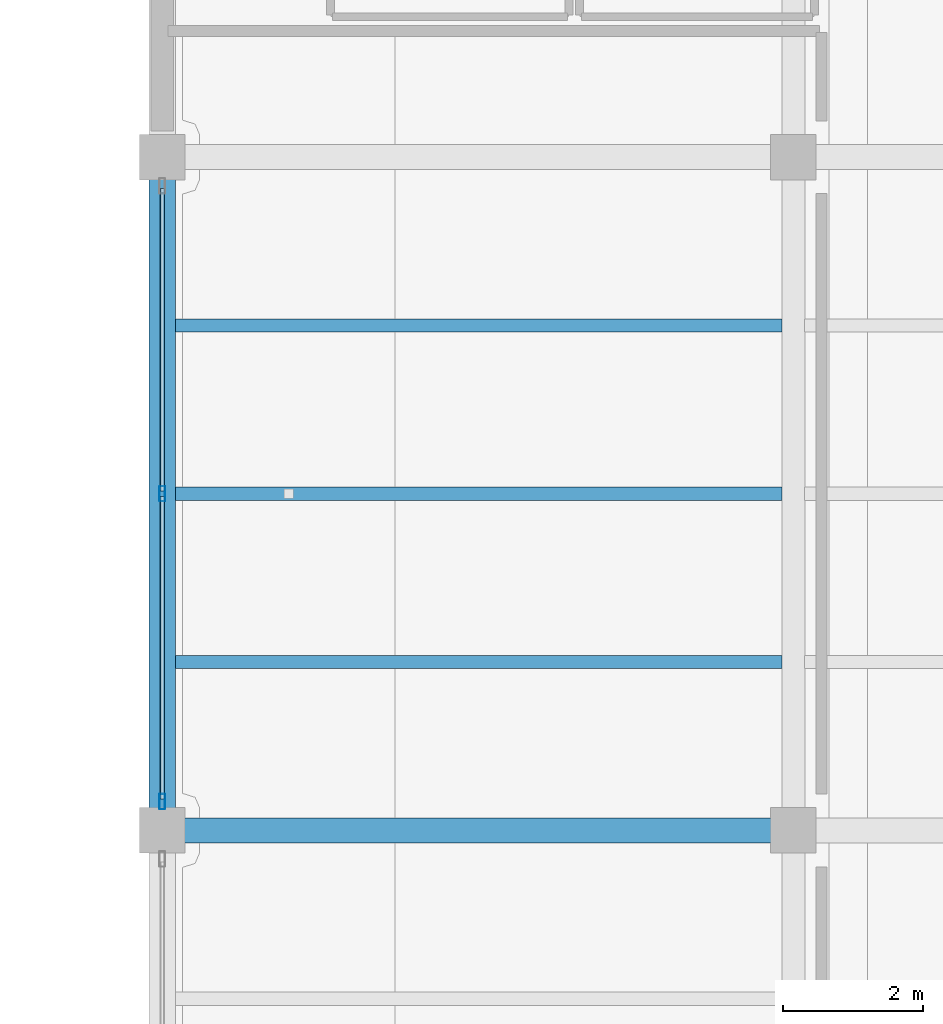
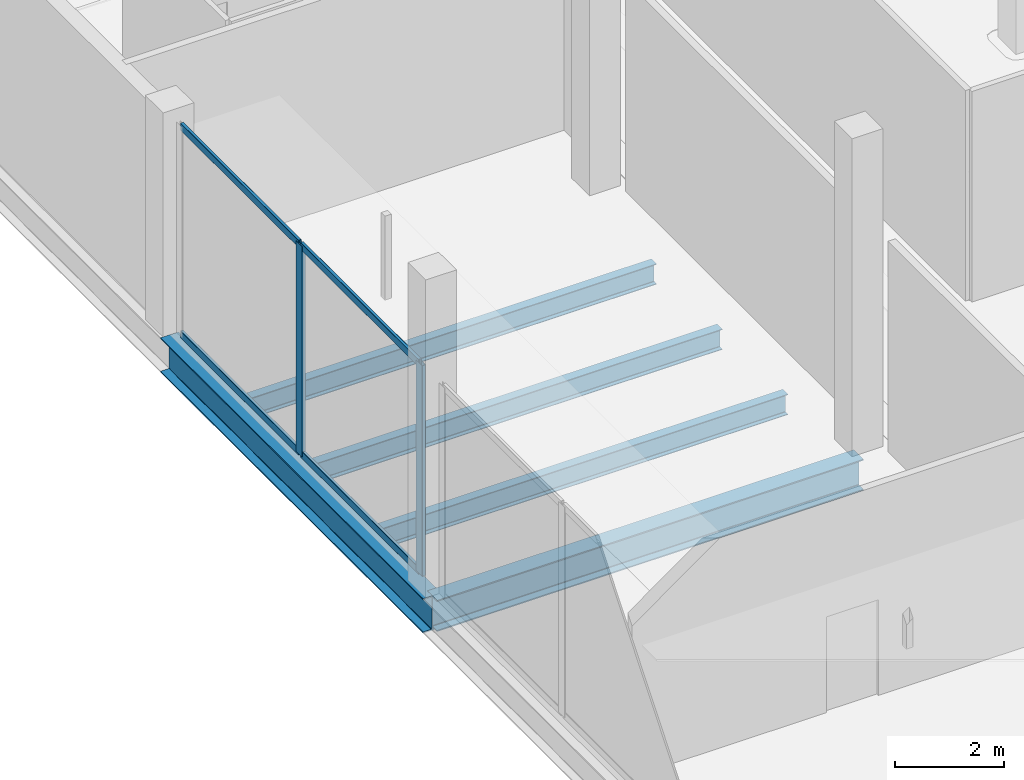
# One storey, part 11 of 43: 6 members, 5 beams, 1 element without a shape of its own.
"""IFC4 building model written with IfcOpenShell, lengths in metres."""

from ifc_helpers import new_model, si_unit, direction, frame, origin, origin_2d, place, context, subcontext, project, spatial, hollow_rectangle, i_section, extrude, material, layer, layer_set, material_profile, profile_set, type_object, element, aggregate, save


model = new_model("IFC4")

# Units and contexts
model_context = context("Model", 3, precision=1e-05, world=origin(), true_north=direction((0.0, 1.0)))
body_context = subcontext(model_context, "Body", "Model", "MODEL_VIEW")
ifc_project = project(units=[si_unit("LENGTHUNIT", "METRE"), si_unit("AREAUNIT", "SQUARE_METRE"), si_unit("VOLUMEUNIT", "CUBIC_METRE"), si_unit("PLANEANGLEUNIT", "RADIAN"), si_unit("MASSUNIT", "GRAM", prefix="KILO")], contexts=[model_context])

# Site, building, storey
site_placement = place(None, origin())
site = spatial("IfcSite", under=ifc_project, at=site_placement, CompositionType="ELEMENT")
building_placement = place(site_placement, origin())
building = spatial("IfcBuilding", under=site, at=building_placement, Name="Qorvath Tower", CompositionType="ELEMENT")
storey_placement = place(building_placement, frame((0.0, 0.0, 22.0)))
storey = spatial("IfcBuildingStorey", under=building, at=storey_placement, Name="L04", CompositionType="ELEMENT", Elevation=22.0)

# Beams
ifc_material_1 = material(Name="Steel ASTM A992 Grade 50", Category="steel")
ifc_material_profile_1 = material_profile(ifc_material_1, i_section(OverallWidth=0.381103515625, OverallDepth=0.77294921875, WebThickness=0.0166015625, FlangeThickness=0.027099609375, FilletRadius=0.01904296875, at=origin_2d()), Name="W30x173")
ifc_profile_set_1 = profile_set([ifc_material_profile_1], Name="Steel ASTM A992 Grade 50")
beam_type_1 = type_object("IfcBeamType", Name="BM-FG3", PredefinedType="BEAM", material=ifc_profile_set_1)
beam_1_placement = place(storey_placement, frame((32.39990234375, 9.60009765625, -0.646484375), z_axis=(0.0, 1.0, 0.0), x_axis=(-1.0, 0.0, 0.0)))
element("IfcBeam", 1, at=beam_1_placement, inside=storey, type_object=beam_type_1, Name="Library N-S Girder L04-1-6", PredefinedType="BEAM", context=body_context, shape_type="SweptSolid", body=[
    extrude(i_section(OverallWidth=0.381103515625, OverallDepth=0.77294921875, WebThickness=0.0166015625, FlangeThickness=0.027099609375, FilletRadius=0.01904296875, at=origin_2d()), origin(), (0.0, 0.0, 1.0), 9.599853515625),
])
ifc_material_2 = material(Name="Steel ASTM A992 Grade 50", Category="steel")
ifc_material_profile_2 = material_profile(ifc_material_2, i_section(OverallWidth=0.35595703125, OverallDepth=0.696044921875, WebThickness=0.015380859375, FlangeThickness=0.02490234375, FilletRadius=0.01806640625, at=origin_2d()), Name="W27x146")
ifc_profile_set_2 = profile_set([ifc_material_profile_2], Name="Steel ASTM A992 Grade 50")
beam_type_2 = type_object("IfcBeamType", Name="BM-FG4", PredefinedType="BEAM", material=ifc_profile_set_2)
beam_2_placement = place(storey_placement, frame((32.39990234375, 9.60009765625, -0.60791015625), z_axis=(1.0, 0.0, 0.0), x_axis=(0.0, 1.0, 0.0)))
element("IfcBeam", 2, at=beam_2_placement, inside=storey, type_object=beam_type_2, Name="Library E-W Girder L04-6-1", PredefinedType="BEAM", context=body_context, shape_type="SweptSolid", body=[
    extrude(i_section(OverallWidth=0.35595703125, OverallDepth=0.696044921875, WebThickness=0.015380859375, FlangeThickness=0.02490234375, FilletRadius=0.01806640625, at=origin_2d()), origin(), (0.0, 0.0, 1.0), 9.0),
])
ifc_material_3 = material(Name="Steel ASTM A992 Grade 50", Category="steel")
ifc_material_profile_3 = material_profile(ifc_material_3, i_section(OverallWidth=0.18994140625, OverallDepth=0.45703125, WebThickness=0.009033203125, FlangeThickness=0.014404296875, FilletRadius=0.011962890625, at=origin_2d()), Name="W18x50")
ifc_profile_set_3 = profile_set([ifc_material_profile_3], Name="Steel ASTM A992 Grade 50")
beam_type_3 = type_object("IfcBeamType", Name="BM-FJ2", PredefinedType="JOIST", material=ifc_profile_set_3)
for number, where, z_axis, x_axis, name in (
    (3, (32.58837890625, 12.0, -0.488525390625), (1.0, 0.0, 0.0), (0.0, 1.0, 0.0), "Library Stack Joist L04-6.1-1"),
    (4, (32.58837890625, 14.39990234375, -0.488525390625), (1.0, 0.0, 0.0), (0.0, 1.0, 0.0), "Library Stack Joist L04-6.2-1"),
    (5, (32.58837890625, 16.800048828125, -0.488525390625), (1.0, 0.0, 0.0), (0.0, 1.0, 0.0), "Library Stack Joist L04-6.3-1"),
):
    element("IfcBeam", number, at=place(storey_placement, frame(where, z_axis=z_axis, x_axis=x_axis)), inside=storey, type_object=beam_type_3, Name=name, PredefinedType="JOIST", context=body_context, shape_type="SweptSolid", body=[
        extrude(i_section(OverallWidth=0.18994140625, OverallDepth=0.45703125, WebThickness=0.009033203125, FlangeThickness=0.014404296875, FilletRadius=0.011962890625, at=origin_2d()), origin(), (0.0, 0.0, 1.0), 8.651123046875),
    ])

# Curtain wall, members
ifc_material_4 = material(Name="Anodised aluminium and triple low-E glass", Category="aluminium")
ifc_layer = layer(ifc_material_4, 0.179931640625)
ifc_layer_set = layer_set([ifc_layer], Name="CW-SYS-6")
curtain_wall_type = type_object("IfcCurtainWallType", Name="CW-SYS-6", PredefinedType="NOTDEFINED", material=ifc_layer_set)
curtain_wall_placement = place(storey_placement, origin())
curtain_wall = element("IfcCurtainWall", 6, at=curtain_wall_placement, inside=storey, type_object=curtain_wall_type, Name="Curtain Wall CW-6 CW-LIB-W-L04-6", PredefinedType="NOTDEFINED")
ifc_material_5 = material(Name="Anodised aluminium 6063-T6", Category="aluminium")
ifc_material_profile_4 = material_profile(ifc_material_5, hollow_rectangle(XDim=0.080078125, YDim=0.219970703125, WallThickness=0.00439453125, InnerFilletRadius=0.00439453125, OuterFilletRadius=0.009033203125, at=origin_2d()), Name="CWM LIB 220x80")
ifc_profile_set_4 = profile_set([ifc_material_profile_4], Name="Anodised aluminium 6063-T6")
member_type_1 = type_object("IfcMemberType", Name="CWM-LIB", PredefinedType="MULLION", material=ifc_profile_set_4)
member_1_placement = place(storey_placement, frame((32.39990234375, 10.010009765625, 0.0), z_axis=(0.0, 0.0, 1.0), x_axis=(-1.0, 0.0, 0.0)))
member_1 = element("IfcMember", 7, at=member_1_placement, type_object=member_type_1, Name="CW-6 mullion 1", PredefinedType="MULLION", context=body_context, shape_type="SweptSolid", body=[
    extrude(hollow_rectangle(XDim=0.080078125, YDim=0.219970703125, WallThickness=0.00439453125, InnerFilletRadius=0.00439453125, OuterFilletRadius=0.009033203125, at=origin_2d()), origin(), (0.0, 0.0, 1.0), 4.699951171875),
])
member_2_placement = place(storey_placement, frame((32.39990234375, 14.400146484375, 0.0), z_axis=(0.0, 0.0, 1.0), x_axis=(-1.0, 0.0, 0.0)))
member_2 = element("IfcMember", 8, at=member_2_placement, type_object=member_type_1, Name="CW-6 mullion 2", PredefinedType="MULLION", context=body_context, shape_type="SweptSolid", body=[
    extrude(hollow_rectangle(XDim=0.080078125, YDim=0.219970703125, WallThickness=0.00439453125, InnerFilletRadius=0.00439453125, OuterFilletRadius=0.009033203125, at=origin_2d()), origin(), (0.0, 0.0, 1.0), 4.699951171875),
])
ifc_material_6 = material(Name="Anodised aluminium 6063-T6", Category="aluminium")
ifc_material_profile_5 = material_profile(ifc_material_6, hollow_rectangle(XDim=0.06494140625, YDim=0.159912109375, WallThickness=0.00341796875, InnerFilletRadius=0.00341796875, OuterFilletRadius=0.007080078125, at=origin_2d()), Name="CWT 160x65")
ifc_profile_set_5 = profile_set([ifc_material_profile_5], Name="Anodised aluminium 6063-T6")
member_type_2 = type_object("IfcMemberType", Name="CWT-160", PredefinedType="USERDEFINED", material=ifc_profile_set_5)
member_3_placement = place(storey_placement, frame((32.39990234375, 10.050048828125, 0.032470703125), z_axis=(0.0, 1.0, 0.0), x_axis=(-1.0, 0.0, 0.0)))
member_3 = element("IfcMember", 9, at=member_3_placement, type_object=member_type_2, Name="CW-6 transom 1.1", ObjectType="TRANSOM", PredefinedType="USERDEFINED", context=body_context, shape_type="SweptSolid", body=[
    extrude(hollow_rectangle(XDim=0.06494140625, YDim=0.159912109375, WallThickness=0.00341796875, InnerFilletRadius=0.00341796875, OuterFilletRadius=0.007080078125, at=origin_2d()), origin(), (0.0, 0.0, 1.0), 4.31005859375),
])
member_4_placement = place(storey_placement, frame((32.39990234375, 10.050048828125, 4.66748046875), z_axis=(0.0, 1.0, 0.0), x_axis=(-1.0, 0.0, 0.0)))
member_4 = element("IfcMember", 10, at=member_4_placement, type_object=member_type_2, Name="CW-6 transom 1.2", ObjectType="TRANSOM", PredefinedType="USERDEFINED", context=body_context, shape_type="SweptSolid", body=[
    extrude(hollow_rectangle(XDim=0.06494140625, YDim=0.159912109375, WallThickness=0.00341796875, InnerFilletRadius=0.00341796875, OuterFilletRadius=0.007080078125, at=origin_2d()), origin(), (0.0, 0.0, 1.0), 4.31005859375),
])
member_5_placement = place(storey_placement, frame((32.39990234375, 14.43994140625, 0.032470703125), z_axis=(0.0, 1.0, 0.0), x_axis=(-1.0, 0.0, 0.0)))
member_5 = element("IfcMember", 11, at=member_5_placement, type_object=member_type_2, Name="CW-6 transom 2.1", ObjectType="TRANSOM", PredefinedType="USERDEFINED", context=body_context, shape_type="SweptSolid", body=[
    extrude(hollow_rectangle(XDim=0.06494140625, YDim=0.159912109375, WallThickness=0.00341796875, InnerFilletRadius=0.00341796875, OuterFilletRadius=0.007080078125, at=origin_2d()), origin(), (0.0, 0.0, 1.0), 4.31005859375),
])
member_6_placement = place(storey_placement, frame((32.39990234375, 14.43994140625, 4.66748046875), z_axis=(0.0, 1.0, 0.0), x_axis=(-1.0, 0.0, 0.0)))
member_6 = element("IfcMember", 12, at=member_6_placement, type_object=member_type_2, Name="CW-6 transom 2.2", ObjectType="TRANSOM", PredefinedType="USERDEFINED", context=body_context, shape_type="SweptSolid", body=[
    extrude(hollow_rectangle(XDim=0.06494140625, YDim=0.159912109375, WallThickness=0.00341796875, InnerFilletRadius=0.00341796875, OuterFilletRadius=0.007080078125, at=origin_2d()), origin(), (0.0, 0.0, 1.0), 4.31005859375),
])
aggregate(curtain_wall, [member_1, member_2, member_3, member_4, member_5, member_6])

save(model, "model.ifc")
